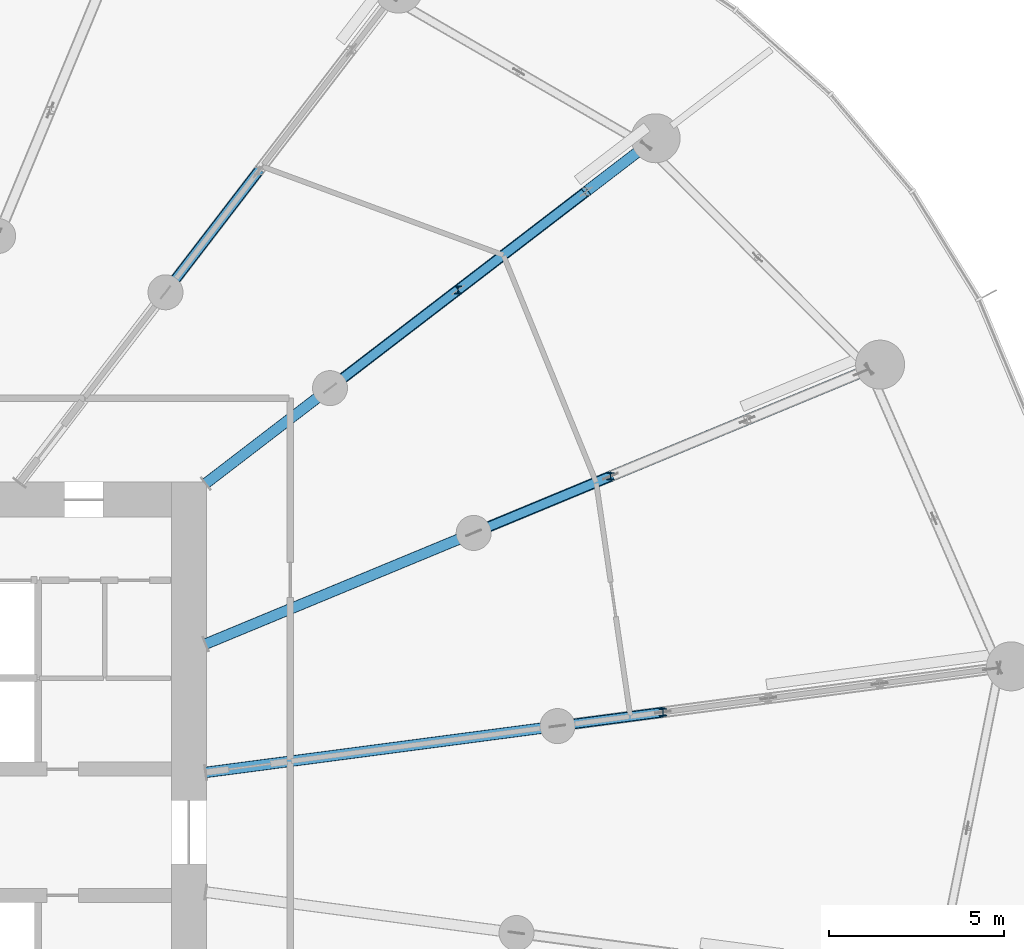
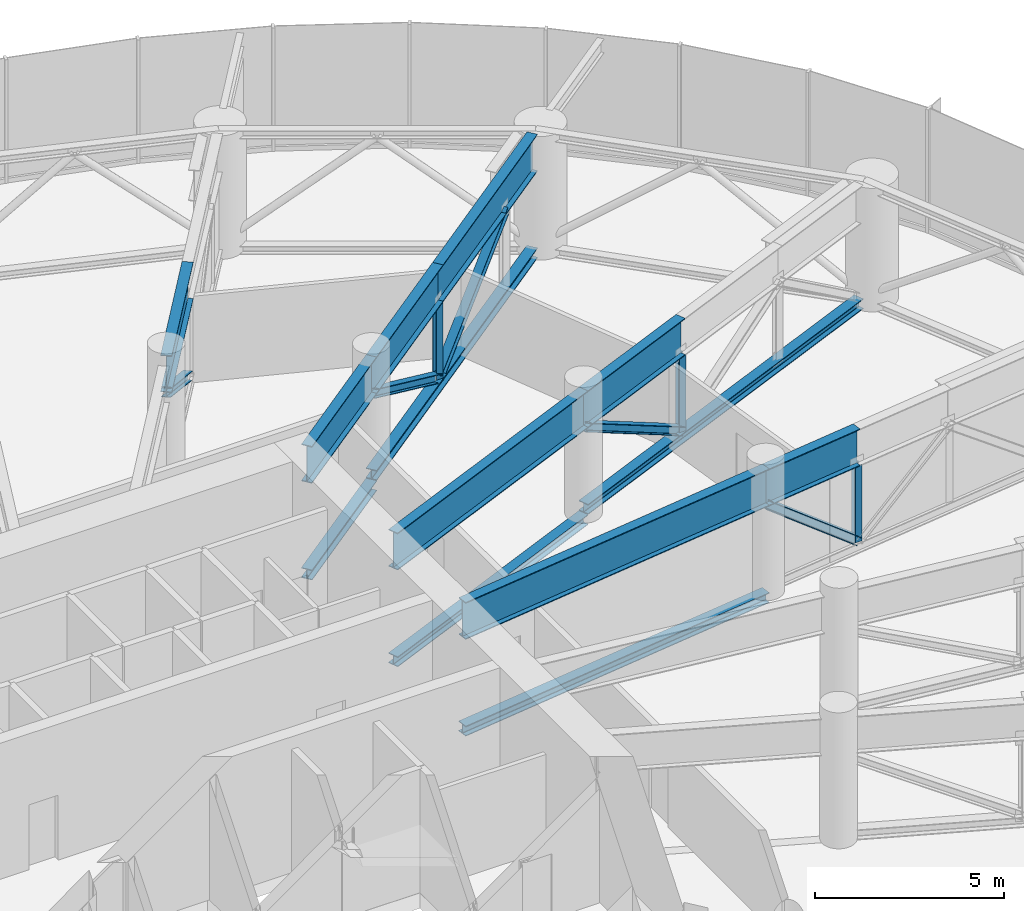
# One storey, part 13 of 42: 13 members, 8 beams.
"""IFC4 building model written with IfcOpenShell, lengths in metres."""

from ifc_helpers import new_model, si_unit, direction, frame, origin, origin_2d, place, context, subcontext, project, spatial, i_section, extrude, source, transform, mapped, material, material_profile, profile_set, type_object, element, save


model = new_model("IFC4")

# Units and contexts
model_context = context("Model", 3, precision=1e-05, world=origin(), true_north=direction((0.0, 1.0)))
body_context = subcontext(model_context, "Body", "Model", "MODEL_VIEW")
ifc_project = project(units=[si_unit("LENGTHUNIT", "METRE"), si_unit("AREAUNIT", "SQUARE_METRE"), si_unit("VOLUMEUNIT", "CUBIC_METRE"), si_unit("PLANEANGLEUNIT", "RADIAN"), si_unit("MASSUNIT", "GRAM", prefix="KILO")], contexts=[model_context])

# Site, building, storey
site_placement = place(None, origin())
site = spatial("IfcSite", under=ifc_project, at=site_placement, CompositionType="ELEMENT")
building_placement = place(site_placement, origin())
building = spatial("IfcBuilding", under=site, at=building_placement, Name="Spindrift Exchange Tower", CompositionType="ELEMENT")
storey_placement = place(building_placement, frame((0.0, 0.0, 75.39990234375)))
storey = spatial("IfcBuildingStorey", under=building, at=storey_placement, Name="L17", CompositionType="ELEMENT", Elevation=75.39990234375)

# Beam
ifc_material = material(Name="Steel Grade 300", Category="steel")
ifc_material_profile_1 = material_profile(ifc_material, i_section(OverallWidth=0.300048828125, OverallDepth=1.199951171875, WebThickness=0.011962890625, FlangeThickness=0.028076171875, at=origin_2d()), Name="1200WB249")
ifc_profile_set_1 = profile_set([ifc_material_profile_1], Name="Steel Grade 300")
beam_type = type_object("IfcBeamType", Name="Outrigger Truss Transfer Girder 1200WB249 Steel Grade 300", PredefinedType="BEAM", material=ifc_profile_set_1)
shared_shape_1 = source(origin(), body_context, "Body", "SweptSolid", [
    extrude(i_section(OverallWidth=0.300048828125, OverallDepth=1.199951171875, WebThickness=0.011962890625, FlangeThickness=0.028076171875, at=origin_2d()), origin(), (0.0, 0.0, 1.0), 10.140380859375),
])
beam_1_placement = place(storey_placement, frame((64.980224609375, 49.708984375, 3.400146484375), z_axis=(0.991446262895, 0.130515546167, 0.0), x_axis=(-0.130515546167, 0.991446262895, 0.0)))
element("IfcBeam", 1, at=beam_1_placement, inside=storey, type_object=beam_type, Name="L17 outrigger truss 01 top chord 1", PredefinedType="BEAM", context=body_context, shape_type="MappedRepresentation", body=[
    mapped(shared_shape_1, transform((0.0, 0.0, 0.0), scale=1.0)),
])

# Member
ifc_material_profile_2 = material_profile(ifc_material, i_section(OverallWidth=0.31103515625, OverallDepth=0.326904296875, WebThickness=0.015625, FlangeThickness=0.02490234375, FilletRadius=0.0166015625, at=origin_2d()), Name="310UC158")
ifc_profile_set_2 = profile_set([ifc_material_profile_2], Name="Steel Grade 300")
member_type_1 = type_object("IfcMemberType", Name="Outrigger Truss Chord 310UC158 Steel Grade 300", PredefinedType="CHORD", material=ifc_profile_set_2)
shared_shape_2 = source(origin(), body_context, "Body", "SweptSolid", [
    extrude(i_section(OverallWidth=0.31103515625, OverallDepth=0.326904296875, WebThickness=0.015625, FlangeThickness=0.02490234375, FilletRadius=0.0166015625, at=origin_2d()), origin(), (0.0, 0.0, 1.0), 10.140380859375),
])
member_1_placement = place(storey_placement, frame((64.980224609375, 49.708984375, -0.163330078125), z_axis=(0.991446262895, 0.130515546167, 0.0), x_axis=(-0.130515546167, 0.991446262895, 0.0)))
element("IfcMember", 2, at=member_1_placement, inside=storey, type_object=member_type_1, Name="L17 outrigger truss 01 bottom chord 1", PredefinedType="CHORD", context=body_context, shape_type="MappedRepresentation", body=[
    mapped(shared_shape_2, transform((0.0, 0.0, 0.0), scale=1.0)),
])

# Beam
shared_shape_3 = source(origin(), body_context, "Body", "SweptSolid", [
    extrude(i_section(OverallWidth=0.300048828125, OverallDepth=1.199951171875, WebThickness=0.011962890625, FlangeThickness=0.028076171875, at=origin_2d()), origin(), (0.0, 0.0, 1.0), 3.037109375),
])
beam_2_placement = place(storey_placement, frame((75.033935546875, 51.032470703125, 3.400146484375), z_axis=(0.991442800606, 0.130541844348, 0.0), x_axis=(-0.130541844348, 0.991442800606, 0.0)))
element("IfcBeam", 3, at=beam_2_placement, inside=storey, type_object=beam_type, Name="L17 outrigger truss 01 top chord 2", PredefinedType="BEAM", context=body_context, shape_type="MappedRepresentation", body=[
    mapped(shared_shape_3, transform((0.0, 0.0, 0.0), scale=1.0)),
])

# Members
ifc_material_profile_3 = material_profile(ifc_material, i_section(OverallWidth=0.256103515625, OverallDepth=0.260009765625, WebThickness=0.010498046875, FlangeThickness=0.017333984375, FilletRadius=0.011962890625, at=origin_2d()), Name="250UC89.5")
ifc_profile_set_3 = profile_set([ifc_material_profile_3], Name="Steel Grade 300")
member_type_2 = type_object("IfcMemberType", Name="Outrigger Truss Diagonal 250UC89.5 Steel Grade 300", PredefinedType="BRACE", material=ifc_profile_set_3)
shared_shape_4 = source(origin(), body_context, "Body", "SweptSolid", [
    extrude(i_section(OverallWidth=0.256103515625, OverallDepth=0.260009765625, WebThickness=0.010498046875, FlangeThickness=0.017333984375, FilletRadius=0.011962890625, at=origin_2d()), origin(), (0.0, 0.0, 1.0), 3.91650390625),
])
member_2_placement = place(storey_placement, frame((75.033935546875, 51.032470703125, 2.800048828125), z_axis=(0.768833136308, 0.101231150751, -0.631385668694), x_axis=(-0.130541844348, 0.991442800606, 0.0)))
element("IfcMember", 4, at=member_2_placement, inside=storey, type_object=member_type_2, Name="L17 outrigger truss 01 diagonal 2", PredefinedType="BRACE", context=body_context, shape_type="MappedRepresentation", body=[
    mapped(shared_shape_4, transform((0.0, 0.0, 0.0), scale=1.0)),
])
ifc_material_profile_4 = material_profile(ifc_material, i_section(OverallWidth=0.205078125, OverallDepth=0.2099609375, WebThickness=0.00927734375, FlangeThickness=0.01416015625, FilletRadius=0.012939453125, at=origin_2d()), Name="200UC59.5")
ifc_profile_set_4 = profile_set([ifc_material_profile_4], Name="Steel Grade 300")
member_type_3 = type_object("IfcMemberType", Name="Outrigger Truss Post 200UC59.5 Steel Grade 300", PredefinedType="POST", material=ifc_profile_set_4)
shared_shape_5 = source(origin(), body_context, "Body", "SweptSolid", [
    extrude(i_section(OverallWidth=0.205078125, OverallDepth=0.2099609375, WebThickness=0.00927734375, FlangeThickness=0.01416015625, FilletRadius=0.012939453125, at=origin_2d()), origin(), (0.0, 0.0, 1.0), 2.472900390625),
])
for number, where, z_axis, x_axis, name in (
    (5, (78.045166015625, 51.428955078125, 0.3271484375), (0.0, 0.0, 1.0), (1.0, 0.0, 0.0), "L17 outrigger truss 01 post 2"),
    (6, (76.54736328125, 58.16796875, 0.3271484375), (0.0, 0.0, 1.0), (1.0, 0.0, 0.0), "L17 outrigger truss 02 post 2"),
    (7, (72.19140625, 63.493408203125, 0.3271484375), (0.0, 0.0, 1.0), (1.0, 0.0, 0.0), "L17 outrigger truss 03 post 2"),
):
    element("IfcMember", number, at=place(storey_placement, frame(where, z_axis=z_axis, x_axis=x_axis)), inside=storey, type_object=member_type_3, Name=name, PredefinedType="POST", context=body_context, shape_type="MappedRepresentation", body=[
        mapped(shared_shape_5, transform((0.0, 0.0, 0.0), scale=1.0)),
    ])

# Beam
shared_shape_6 = source(origin(), body_context, "Body", "SweptSolid", [
    extrude(i_section(OverallWidth=0.300048828125, OverallDepth=1.199951171875, WebThickness=0.011962890625, FlangeThickness=0.028076171875, at=origin_2d()), origin(), (0.0, 0.0, 1.0), 8.288818359375),
])
beam_3_placement = place(storey_placement, frame((64.9814453125, 53.377197265625, 3.400146484375), z_axis=(0.923886163861, 0.382667422478, 0.0), x_axis=(-0.382667422478, 0.923886163861, 0.0)))
element("IfcBeam", 8, at=beam_3_placement, inside=storey, type_object=beam_type, Name="L17 outrigger truss 02 top chord 1", PredefinedType="BEAM", context=body_context, shape_type="MappedRepresentation", body=[
    mapped(shared_shape_6, transform((0.0, 0.0, 0.0), scale=1.0)),
])

# Member
shared_shape_7 = source(origin(), body_context, "Body", "SweptSolid", [
    extrude(i_section(OverallWidth=0.31103515625, OverallDepth=0.326904296875, WebThickness=0.015625, FlangeThickness=0.02490234375, FilletRadius=0.0166015625, at=origin_2d()), origin(), (0.0, 0.0, 1.0), 8.288818359375),
])
member_3_placement = place(storey_placement, frame((64.9814453125, 53.377197265625, -0.163330078125), z_axis=(0.923886163861, 0.382667422478, 0.0), x_axis=(-0.382667422478, 0.923886163861, 0.0)))
element("IfcMember", 9, at=member_3_placement, inside=storey, type_object=member_type_1, Name="L17 outrigger truss 02 bottom chord 1", PredefinedType="CHORD", context=body_context, shape_type="MappedRepresentation", body=[
    mapped(shared_shape_7, transform((0.0, 0.0, 0.0), scale=1.0)),
])

# Beam
shared_shape_8 = source(origin(), body_context, "Body", "SweptSolid", [
    extrude(i_section(OverallWidth=0.300048828125, OverallDepth=1.199951171875, WebThickness=0.011962890625, FlangeThickness=0.028076171875, at=origin_2d()), origin(), (0.0, 0.0, 1.0), 4.22998046875),
])
beam_4_placement = place(storey_placement, frame((72.639404296875, 56.549072265625, 3.400146484375), z_axis=(0.923865584381, 0.382717104394, 0.0), x_axis=(-0.382717104394, 0.923865584381, 0.0)))
element("IfcBeam", 10, at=beam_4_placement, inside=storey, type_object=beam_type, Name="L17 outrigger truss 02 top chord 2", PredefinedType="BEAM", context=body_context, shape_type="MappedRepresentation", body=[
    mapped(shared_shape_8, transform((0.0, 0.0, 0.0), scale=1.0)),
])

# Members
shared_shape_9 = source(origin(), body_context, "Body", "SweptSolid", [
    extrude(i_section(OverallWidth=0.31103515625, OverallDepth=0.326904296875, WebThickness=0.015625, FlangeThickness=0.02490234375, FilletRadius=0.0166015625, at=origin_2d()), origin(), (0.0, 0.0, 1.0), 11.98583984375),
])
member_4_placement = place(storey_placement, frame((72.639404296875, 56.549072265625, 0.16357421875), z_axis=(0.923875820433, 0.382692393992, 0.0), x_axis=(-0.382692393992, 0.923875820433, 0.0)))
element("IfcMember", 11, at=member_4_placement, inside=storey, type_object=member_type_1, Name="L17 outrigger truss 02 bottom chord 2", PredefinedType="CHORD", context=body_context, shape_type="MappedRepresentation", body=[
    mapped(shared_shape_9, transform((0.0, 0.0, 0.0), scale=1.0)),
])
shared_shape_10 = source(origin(), body_context, "Body", "SweptSolid", [
    extrude(i_section(OverallWidth=0.256103515625, OverallDepth=0.260009765625, WebThickness=0.010498046875, FlangeThickness=0.017333984375, FilletRadius=0.011962890625, at=origin_2d()), origin(), (0.0, 0.0, 1.0), 4.89990234375),
])
member_5_placement = place(storey_placement, frame((72.639404296875, 56.549072265625, 2.800048828125), z_axis=(0.79757245405, 0.330399384195, -0.504692408763), x_axis=(-0.382717104394, 0.923865584381, 0.0)))
element("IfcMember", 12, at=member_5_placement, inside=storey, type_object=member_type_2, Name="L17 outrigger truss 02 diagonal 2", PredefinedType="BRACE", context=body_context, shape_type="MappedRepresentation", body=[
    mapped(shared_shape_10, transform((0.0, 0.0, 0.0), scale=1.0)),
])

# Beam
shared_shape_11 = source(origin(), body_context, "Body", "SweptSolid", [
    extrude(i_section(OverallWidth=0.300048828125, OverallDepth=1.199951171875, WebThickness=0.011962890625, FlangeThickness=0.028076171875, at=origin_2d()), origin(), (0.0, 0.0, 1.0), 4.4755859375),
])
beam_5_placement = place(storey_placement, frame((64.984130859375, 57.963134765625, 3.400146484375), z_axis=(0.793379783148, 0.608726966457, 0.0), x_axis=(-0.608726966457, 0.793379783148, 0.0)))
element("IfcBeam", 13, at=beam_5_placement, inside=storey, type_object=beam_type, Name="L17 outrigger truss 03 top chord 1", PredefinedType="BEAM", context=body_context, shape_type="MappedRepresentation", body=[
    mapped(shared_shape_11, transform((0.0, 0.0, 0.0), scale=1.0)),
])

# Member
shared_shape_12 = source(origin(), body_context, "Body", "SweptSolid", [
    extrude(i_section(OverallWidth=0.31103515625, OverallDepth=0.326904296875, WebThickness=0.015625, FlangeThickness=0.02490234375, FilletRadius=0.0166015625, at=origin_2d()), origin(), (0.0, 0.0, 1.0), 4.4755859375),
])
member_6_placement = place(storey_placement, frame((64.984130859375, 57.963134765625, -0.163330078125), z_axis=(0.793379783148, 0.608726966457, 0.0), x_axis=(-0.608726966457, 0.793379783148, 0.0)))
element("IfcMember", 14, at=member_6_placement, inside=storey, type_object=member_type_1, Name="L17 outrigger truss 03 bottom chord 1", PredefinedType="CHORD", context=body_context, shape_type="MappedRepresentation", body=[
    mapped(shared_shape_12, transform((0.0, 0.0, 0.0), scale=1.0)),
])

# Beam
shared_shape_13 = source(origin(), body_context, "Body", "SweptSolid", [
    extrude(i_section(OverallWidth=0.300048828125, OverallDepth=1.199951171875, WebThickness=0.011962890625, FlangeThickness=0.028076171875, at=origin_2d()), origin(), (0.0, 0.0, 1.0), 4.609130859375),
])
beam_6_placement = place(storey_placement, frame((68.534912109375, 60.6875, 3.400146484375), z_axis=(0.793334314075, 0.608786223654, 0.0), x_axis=(-0.608786223654, 0.793334314075, 0.0)))
element("IfcBeam", 15, at=beam_6_placement, inside=storey, type_object=beam_type, Name="L17 outrigger truss 03 top chord 2", PredefinedType="BEAM", context=body_context, shape_type="MappedRepresentation", body=[
    mapped(shared_shape_13, transform((0.0, 0.0, 0.0), scale=1.0)),
])

# Members
shared_shape_14 = source(origin(), body_context, "Body", "SweptSolid", [
    extrude(i_section(OverallWidth=0.31103515625, OverallDepth=0.326904296875, WebThickness=0.015625, FlangeThickness=0.02490234375, FilletRadius=0.0166015625, at=origin_2d()), origin(), (0.0, 0.0, 1.0), 11.143310546875),
])
member_7_placement = place(storey_placement, frame((68.534912109375, 60.6875, 0.16357421875), z_axis=(0.79334992847, 0.608765875355, 0.0), x_axis=(-0.608765875355, 0.79334992847, 0.0)))
element("IfcMember", 16, at=member_7_placement, inside=storey, type_object=member_type_1, Name="L17 outrigger truss 03 bottom chord 2", PredefinedType="CHORD", context=body_context, shape_type="MappedRepresentation", body=[
    mapped(shared_shape_14, transform((0.0, 0.0, 0.0), scale=1.0)),
])
shared_shape_15 = source(origin(), body_context, "Body", "SweptSolid", [
    extrude(i_section(OverallWidth=0.256103515625, OverallDepth=0.260009765625, WebThickness=0.010498046875, FlangeThickness=0.017333984375, FilletRadius=0.011962890625, at=origin_2d()), origin(), (0.0, 0.0, 1.0), 5.23046875),
])
member_8_placement = place(storey_placement, frame((68.534912109375, 60.6875, 2.800048828125), z_axis=(0.699069373238, 0.53644950969, -0.472783179644), x_axis=(-0.608786223654, 0.793334314075, 0.0)))
element("IfcMember", 17, at=member_8_placement, inside=storey, type_object=member_type_2, Name="L17 outrigger truss 03 diagonal 2", PredefinedType="BRACE", context=body_context, shape_type="MappedRepresentation", body=[
    mapped(shared_shape_15, transform((0.0, 0.0, 0.0), scale=1.0)),
])

# Beam
shared_shape_16 = source(origin(), body_context, "Body", "SweptSolid", [
    extrude(i_section(OverallWidth=0.300048828125, OverallDepth=1.199951171875, WebThickness=0.011962890625, FlangeThickness=0.028076171875, at=origin_2d()), origin(), (0.0, 0.0, 1.0), 6.534423828125),
])
beam_7_placement = place(storey_placement, frame((72.19140625, 63.493408203125, 3.400146484375), z_axis=(0.793360941844, 0.608751522344, 0.0), x_axis=(-0.608751522344, 0.793360941844, 0.0)))
element("IfcBeam", 18, at=beam_7_placement, inside=storey, type_object=beam_type, Name="L17 outrigger truss 03 top chord 3", PredefinedType="BEAM", context=body_context, shape_type="MappedRepresentation", body=[
    mapped(shared_shape_16, transform((0.0, 0.0, 0.0), scale=1.0)),
])

# Member
shared_shape_17 = source(origin(), body_context, "Body", "SweptSolid", [
    extrude(i_section(OverallWidth=0.256103515625, OverallDepth=0.260009765625, WebThickness=0.010498046875, FlangeThickness=0.017333984375, FilletRadius=0.011962890625, at=origin_2d()), origin(), (0.0, 0.0, 1.0), 5.230712890625),
])
member_9_placement = place(storey_placement, frame((72.19140625, 63.493408203125, 0.3271484375), z_axis=(0.699093237702, 0.536432005669, 0.472767753017), x_axis=(-0.608760641354, 0.793353944679, 0.0)))
element("IfcMember", 19, at=member_9_placement, inside=storey, type_object=member_type_2, Name="L17 outrigger truss 03 diagonal 3", PredefinedType="BRACE", context=body_context, shape_type="MappedRepresentation", body=[
    mapped(shared_shape_17, transform((0.0, 0.0, 0.0), scale=1.0)),
])

# Beam
shared_shape_18 = source(origin(), body_context, "Body", "SweptSolid", [
    extrude(i_section(OverallWidth=0.300048828125, OverallDepth=1.199951171875, WebThickness=0.011962890625, FlangeThickness=0.028076171875, at=origin_2d()), origin(), (0.0, 0.0, 1.0), 4.36181640625),
])
beam_8_placement = place(storey_placement, frame((63.835205078125, 63.423828125, 3.400146484375), z_axis=(0.608758162238, 0.793355846962, 0.0), x_axis=(-0.793355846962, 0.608758162238, 0.0)))
element("IfcBeam", 20, at=beam_8_placement, inside=storey, type_object=beam_type, Name="L17 outrigger truss 04 top chord 2", PredefinedType="BEAM", context=body_context, shape_type="MappedRepresentation", body=[
    mapped(shared_shape_18, transform((0.0, 0.0, 0.0), scale=1.0)),
])

# Member
shared_shape_19 = source(origin(), body_context, "Body", "SweptSolid", [
    extrude(i_section(OverallWidth=0.256103515625, OverallDepth=0.260009765625, WebThickness=0.010498046875, FlangeThickness=0.017333984375, FilletRadius=0.011962890625, at=origin_2d()), origin(), (0.0, 0.0, 1.0), 5.013916015625),
])
member_10_placement = place(storey_placement, frame((63.835205078125, 63.423828125, 2.800048828125), z_axis=(0.529569504176, 0.690154298657, -0.493196902152), x_axis=(-0.793355846962, 0.608758162238, 0.0)))
element("IfcMember", 21, at=member_10_placement, inside=storey, type_object=member_type_2, Name="L17 outrigger truss 04 diagonal 2", PredefinedType="BRACE", context=body_context, shape_type="MappedRepresentation", body=[
    mapped(shared_shape_19, transform((0.0, 0.0, 0.0), scale=1.0)),
])

save(model, "model.ifc")
